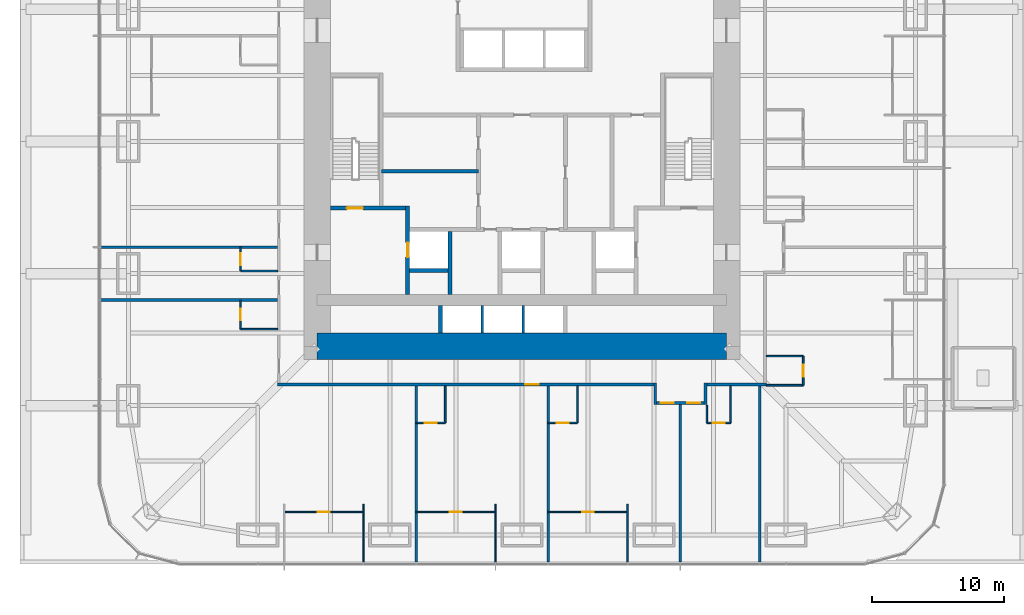
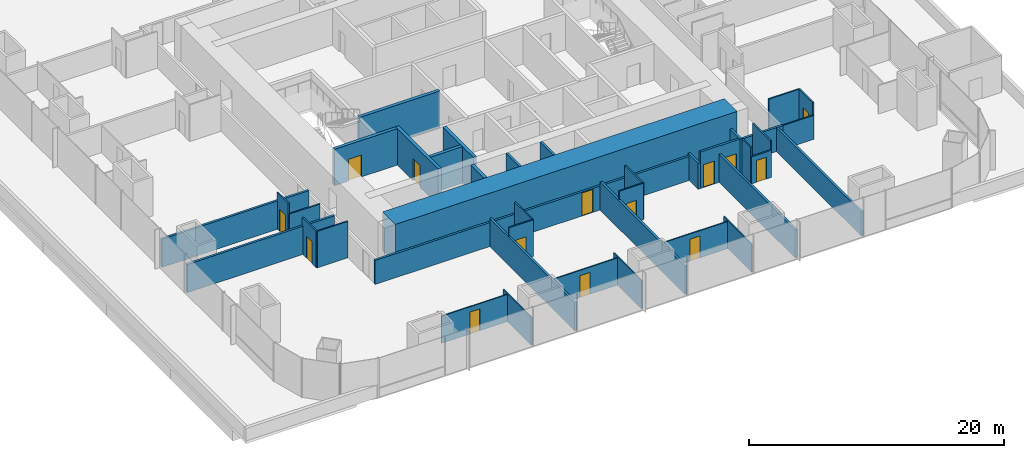
# One storey, part 14 of 20: 40 walls, 14 doors, 14 openings.
"""IFC4 building model written with IfcOpenShell, lengths in metres."""

from ifc_helpers import new_model, si_unit, direction, frame, frame_2d, origin, place, context, subcontext, project, spatial, rectangle, extrude, material, layer, layer_set, type_object, element, fill, save


model = new_model("IFC4")

# Units and contexts
model_context = context("Model", 3, precision=1e-05, world=origin(), true_north=direction((0.0, 1.0)))
body_context = subcontext(model_context, "Body", "Model", "MODEL_VIEW")
ifc_project = project(units=[si_unit("LENGTHUNIT", "METRE"), si_unit("AREAUNIT", "SQUARE_METRE"), si_unit("VOLUMEUNIT", "CUBIC_METRE"), si_unit("PLANEANGLEUNIT", "RADIAN"), si_unit("MASSUNIT", "GRAM", prefix="KILO")], contexts=[model_context])

# Site, building, storey
site_placement = place(None, origin())
site = spatial("IfcSite", under=ifc_project, at=site_placement, CompositionType="ELEMENT")
building_placement = place(site_placement, origin())
building = spatial("IfcBuilding", under=site, at=building_placement, Name="Khuree Lantern Residences", CompositionType="ELEMENT")
storey_placement = place(building_placement, frame((0.0, 0.0, 21.0)))
storey = spatial("IfcBuildingStorey", under=building, at=storey_placement, Name="L04", CompositionType="ELEMENT", Elevation=21.0)

# Wall, opening, door
ifc_material_1 = material(Name="Moisture-resistant gypsum board on steel studs", Category="steel")
ifc_layer_1 = layer(ifc_material_1, 0.125)
ifc_layer_set_1 = layer_set([ifc_layer_1], Name="BATHROOM WALL BTW125")
wall_type_1 = type_object("IfcWallType", Name="BATHROOM WALL BTW125", PredefinedType="PARTITIONING", material=ifc_layer_set_1)
wall_1_placement = place(storey_placement, frame((-21.300048828125, -8.0, 0.0), z_axis=(0.0, 0.0, 1.0), x_axis=(0.0, -1.0, 0.0)))
wall_1 = element("IfcWall", 1, at=wall_1_placement, inside=storey, type_object=wall_type_1, Name="L04 BATHROOM WALL 09", PredefinedType="PARTITIONING", context=body_context, shape_type="SweptSolid", body=[
    extrude(rectangle(XDim=1.800048828125, YDim=0.125, at=frame_2d((0.89990234375, 0.0))), origin(), (0.0, 0.0, 1.0), 3.5),
])
opening_1_placement = place(wall_1_placement, frame((0.449951171875, 0.0, 0.0)))
opening_1 = element("IfcOpeningElement", 2, at=opening_1_placement, cuts=wall_1, Name="Opening 04-047", PredefinedType="OPENING", context=body_context, shape_type="SweptSolid", body=[
    extrude(rectangle(XDim=0.89990234375, YDim=2.10009765625, at=frame_2d((0.449951171875, 1.050048828125))), frame((0.0, 0.072509765625, 0.0), z_axis=(0.0, -1.0, 0.0), x_axis=(1.0, 0.0, 0.0)), (0.0, 0.0, 1.0), 0.14501953125),
])
ifc_material_2 = material(Name="Timber door leaf in hardwood frame", Category="wood")
door_type_1 = type_object("IfcDoorType", Name="BATHROOM DOOR 900X2100", OperationType="SINGLE_SWING_LEFT", PredefinedType="DOOR", material=ifc_material_2)
door_1_placement = place(opening_1_placement, origin())
door_1 = element("IfcDoor", 3, at=door_1_placement, inside=storey, type_object=door_type_1, Name="Bathroom door 04-047", OperationType="SINGLE_SWING_LEFT", OverallHeight=2.10009765625, OverallWidth=0.89990234375, PredefinedType="DOOR", context=body_context, shape_type="SweptSolid", body=[
    extrude(rectangle(XDim=0.89990234375, YDim=2.10009765625, at=frame_2d((0.449951171875, 1.050048828125))), frame((0.0, 0.02490234375, 0.0), z_axis=(0.0, -1.0, 0.0), x_axis=(1.0, 0.0, 0.0)), (0.0, 0.0, 1.0), 0.050048828125),
])
fill(opening_1, door_1)

# Wall
wall_2_placement = place(storey_placement, frame((-18.5, -9.800048828125, 0.0), z_axis=(0.0, 0.0, 1.0), x_axis=(-1.0, 0.0, 0.0)))
element("IfcWall", 4, at=wall_2_placement, inside=storey, type_object=wall_type_1, Name="L04 BATHROOM WALL 09", PredefinedType="PARTITIONING", context=body_context, shape_type="SweptSolid", body=[
    extrude(rectangle(XDim=2.800048828125, YDim=0.125, at=frame_2d((1.39990234375, 0.0))), origin(), (0.0, 0.0, 1.0), 2.491943359375),
])

# Wall, opening, door
wall_3_placement = place(storey_placement, frame((-21.300048828125, -12.0, 0.0), z_axis=(0.0, 0.0, 1.0), x_axis=(0.0, -1.0, 0.0)))
wall_3 = element("IfcWall", 5, at=wall_3_placement, inside=storey, type_object=wall_type_1, Name="L04 BATHROOM WALL 10", PredefinedType="PARTITIONING", context=body_context, shape_type="SweptSolid", body=[
    extrude(rectangle(XDim=2.199951171875, YDim=0.125, at=frame_2d((1.10009765625, 0.0))), origin(), (0.0, 0.0, 1.0), 3.5),
])
opening_2_placement = place(wall_3_placement, frame((0.64990234375, 0.0, 0.0)))
opening_2 = element("IfcOpeningElement", 6, at=opening_2_placement, cuts=wall_3, Name="Opening 04-050", PredefinedType="OPENING", context=body_context, shape_type="SweptSolid", body=[
    extrude(rectangle(XDim=0.89990234375, YDim=2.10009765625, at=frame_2d((0.449951171875, 1.050048828125))), frame((0.0, 0.072509765625, 0.0), z_axis=(0.0, -1.0, 0.0), x_axis=(1.0, 0.0, 0.0)), (0.0, 0.0, 1.0), 0.14501953125),
])
door_2_placement = place(opening_2_placement, origin())
door_2 = element("IfcDoor", 7, at=door_2_placement, inside=storey, type_object=door_type_1, Name="Bathroom door 04-050", OperationType="SINGLE_SWING_LEFT", OverallHeight=2.10009765625, OverallWidth=0.89990234375, PredefinedType="DOOR", context=body_context, shape_type="SweptSolid", body=[
    extrude(rectangle(XDim=0.89990234375, YDim=2.10009765625, at=frame_2d((0.449951171875, 1.050048828125))), frame((0.0, 0.02490234375, 0.0), z_axis=(0.0, -1.0, 0.0), x_axis=(1.0, 0.0, 0.0)), (0.0, 0.0, 1.0), 0.050048828125),
])
fill(opening_2, door_2)

# Wall
wall_4_placement = place(storey_placement, frame((-18.5, -14.199951171875, 0.0), z_axis=(0.0, 0.0, 1.0), x_axis=(-1.0, 0.0, 0.0)))
element("IfcWall", 8, at=wall_4_placement, inside=storey, type_object=wall_type_1, Name="L04 BATHROOM WALL 10", PredefinedType="PARTITIONING", context=body_context, shape_type="SweptSolid", body=[
    extrude(rectangle(XDim=2.800048828125, YDim=0.125, at=frame_2d((1.39990234375, 0.0))), origin(), (0.0, 0.0, 1.0), 3.5),
])

# Wall, opening, door
wall_5_placement = place(storey_placement, frame((-8.0, -21.300048828125, 0.0), z_axis=(0.0, 0.0, 1.0), x_axis=(1.0, 0.0, 0.0)))
wall_5 = element("IfcWall", 9, at=wall_5_placement, inside=storey, type_object=wall_type_1, Name="L04 BATHROOM WALL 11", PredefinedType="PARTITIONING", context=body_context, shape_type="SweptSolid", body=[
    extrude(rectangle(XDim=2.199951171875, YDim=0.125, at=frame_2d((1.10009765625, 0.0))), origin(), (0.0, 0.0, 1.0), 3.5),
])
opening_3_placement = place(wall_5_placement, frame((0.64990234375, 0.0, 0.0)))
opening_3 = element("IfcOpeningElement", 10, at=opening_3_placement, cuts=wall_5, Name="Opening 04-053", PredefinedType="OPENING", context=body_context, shape_type="SweptSolid", body=[
    extrude(rectangle(XDim=0.89990234375, YDim=2.10009765625, at=frame_2d((0.449951171875, 1.050048828125))), frame((0.0, 0.072509765625, 0.0), z_axis=(0.0, -1.0, 0.0), x_axis=(1.0, 0.0, 0.0)), (0.0, 0.0, 1.0), 0.14501953125),
])
door_3_placement = place(opening_3_placement, origin())
door_3 = element("IfcDoor", 11, at=door_3_placement, inside=storey, type_object=door_type_1, Name="Bathroom door 04-053", OperationType="SINGLE_SWING_LEFT", OverallHeight=2.10009765625, OverallWidth=0.89990234375, PredefinedType="DOOR", context=body_context, shape_type="SweptSolid", body=[
    extrude(rectangle(XDim=0.89990234375, YDim=2.10009765625, at=frame_2d((0.449951171875, 1.050048828125))), frame((0.0, 0.02490234375, 0.0), z_axis=(0.0, -1.0, 0.0), x_axis=(1.0, 0.0, 0.0)), (0.0, 0.0, 1.0), 0.050048828125),
])
fill(opening_3, door_3)

# Wall
wall_6_placement = place(storey_placement, frame((-5.800048828125, -18.5, 0.0), z_axis=(0.0, 0.0, 1.0), x_axis=(0.0, -1.0, 0.0)))
element("IfcWall", 12, at=wall_6_placement, inside=storey, type_object=wall_type_1, Name="L04 BATHROOM WALL 11", PredefinedType="PARTITIONING", context=body_context, shape_type="SweptSolid", body=[
    extrude(rectangle(XDim=2.800048828125, YDim=0.125, at=frame_2d((1.39990234375, 0.0))), origin(), (0.0, 0.0, 1.0), 3.5),
])

# Wall, opening, door
wall_7_placement = place(storey_placement, frame((2.0, -21.300048828125, 0.0), z_axis=(0.0, 0.0, 1.0), x_axis=(1.0, 0.0, 0.0)))
wall_7 = element("IfcWall", 13, at=wall_7_placement, inside=storey, type_object=wall_type_1, Name="L04 BATHROOM WALL 12", PredefinedType="PARTITIONING", context=body_context, shape_type="SweptSolid", body=[
    extrude(rectangle(XDim=2.199951171875, YDim=0.125, at=frame_2d((1.10009765625, 0.0))), origin(), (0.0, 0.0, 1.0), 3.5),
])
opening_4_placement = place(wall_7_placement, frame((0.64990234375, 0.0, 0.0)))
opening_4 = element("IfcOpeningElement", 14, at=opening_4_placement, cuts=wall_7, Name="Opening 04-056", PredefinedType="OPENING", context=body_context, shape_type="SweptSolid", body=[
    extrude(rectangle(XDim=0.89990234375, YDim=2.10009765625, at=frame_2d((0.449951171875, 1.050048828125))), frame((0.0, 0.072509765625, 0.0), z_axis=(0.0, -1.0, 0.0), x_axis=(1.0, 0.0, 0.0)), (0.0, 0.0, 1.0), 0.14501953125),
])
door_4_placement = place(opening_4_placement, origin())
door_4 = element("IfcDoor", 15, at=door_4_placement, inside=storey, type_object=door_type_1, Name="Bathroom door 04-056", OperationType="SINGLE_SWING_LEFT", OverallHeight=2.10009765625, OverallWidth=0.89990234375, PredefinedType="DOOR", context=body_context, shape_type="SweptSolid", body=[
    extrude(rectangle(XDim=0.89990234375, YDim=2.10009765625, at=frame_2d((0.449951171875, 1.050048828125))), frame((0.0, 0.02490234375, 0.0), z_axis=(0.0, -1.0, 0.0), x_axis=(1.0, 0.0, 0.0)), (0.0, 0.0, 1.0), 0.050048828125),
])
fill(opening_4, door_4)

# Wall
wall_8_placement = place(storey_placement, frame((4.199951171875, -18.5, 0.0), z_axis=(0.0, 0.0, 1.0), x_axis=(0.0, -1.0, 0.0)))
element("IfcWall", 16, at=wall_8_placement, inside=storey, type_object=wall_type_1, Name="L04 BATHROOM WALL 12", PredefinedType="PARTITIONING", context=body_context, shape_type="SweptSolid", body=[
    extrude(rectangle(XDim=2.800048828125, YDim=0.125, at=frame_2d((1.39990234375, 0.0))), origin(), (0.0, 0.0, 1.0), 3.5),
])

# Wall, opening, door
wall_9_placement = place(storey_placement, frame((14.0, -21.300048828125, 0.0), z_axis=(0.0, 0.0, 1.0), x_axis=(1.0, 0.0, 0.0)))
wall_9 = element("IfcWall", 17, at=wall_9_placement, inside=storey, type_object=wall_type_1, Name="L04 BATHROOM WALL 13", PredefinedType="PARTITIONING", context=body_context, shape_type="SweptSolid", body=[
    extrude(rectangle(XDim=1.800048828125, YDim=0.125, at=frame_2d((0.89990234375, 0.0))), origin(), (0.0, 0.0, 1.0), 2.610107421875),
])
opening_5_placement = place(wall_9_placement, frame((0.449951171875, 0.0, 0.0)))
opening_5 = element("IfcOpeningElement", 18, at=opening_5_placement, cuts=wall_9, Name="Opening 04-058", PredefinedType="OPENING", context=body_context, shape_type="SweptSolid", body=[
    extrude(rectangle(XDim=0.89990234375, YDim=2.10009765625, at=frame_2d((0.449951171875, 1.050048828125))), frame((0.0, 0.072509765625, 0.0), z_axis=(0.0, -1.0, 0.0), x_axis=(1.0, 0.0, 0.0)), (0.0, 0.0, 1.0), 0.14501953125),
])
door_5_placement = place(opening_5_placement, origin())
door_5 = element("IfcDoor", 19, at=door_5_placement, inside=storey, type_object=door_type_1, Name="Bathroom door 04-058", OperationType="SINGLE_SWING_LEFT", OverallHeight=2.10009765625, OverallWidth=0.89990234375, PredefinedType="DOOR", context=body_context, shape_type="SweptSolid", body=[
    extrude(rectangle(XDim=0.89990234375, YDim=2.10009765625, at=frame_2d((0.449951171875, 1.050048828125))), frame((0.0, 0.02490234375, 0.0), z_axis=(0.0, -1.0, 0.0), x_axis=(1.0, 0.0, 0.0)), (0.0, 0.0, 1.0), 0.050048828125),
])
fill(opening_5, door_5)

# Walls
wall_10_placement = place(storey_placement, frame((14.0, -19.969970703125, 0.0), z_axis=(0.0, 0.0, 1.0), x_axis=(0.0, -1.0, 0.0)))
element("IfcWall", 20, at=wall_10_placement, inside=storey, type_object=wall_type_1, Name="L04 BATHROOM WALL 13", PredefinedType="PARTITIONING", context=body_context, shape_type="SweptSolid", body=[
    extrude(rectangle(XDim=1.330078125, YDim=0.125, at=frame_2d((0.6650390625, 0.0))), origin(), (0.0, 0.0, 1.0), 3.5),
])
wall_11_placement = place(storey_placement, frame((15.800048828125, -18.5, 0.0), z_axis=(0.0, 0.0, 1.0), x_axis=(0.0, -1.0, 0.0)))
element("IfcWall", 21, at=wall_11_placement, inside=storey, type_object=wall_type_1, Name="L04 BATHROOM WALL 13", PredefinedType="PARTITIONING", context=body_context, shape_type="SweptSolid", body=[
    extrude(rectangle(XDim=2.800048828125, YDim=0.125, at=frame_2d((1.39990234375, 0.0))), origin(), (0.0, 0.0, 1.0), 3.5),
])

# Wall, opening, door
wall_12_placement = place(storey_placement, frame((21.300048828125, -18.449951171875, 0.0), z_axis=(0.0, 0.0, 1.0), x_axis=(0.0, 1.0, 0.0)))
wall_12 = element("IfcWall", 22, at=wall_12_placement, inside=storey, type_object=wall_type_1, Name="L04 BATHROOM WALL 14", PredefinedType="PARTITIONING", context=body_context, shape_type="SweptSolid", body=[
    extrude(rectangle(XDim=2.199951171875, YDim=0.125, at=frame_2d((1.10009765625, 0.0))), origin(), (0.0, 0.0, 1.0), 3.5),
])
opening_6_placement = place(wall_12_placement, frame((0.64990234375, 0.0, 0.0)))
opening_6 = element("IfcOpeningElement", 23, at=opening_6_placement, cuts=wall_12, Name="Opening 04-061", PredefinedType="OPENING", context=body_context, shape_type="SweptSolid", body=[
    extrude(rectangle(XDim=0.89990234375, YDim=2.10009765625, at=frame_2d((0.449951171875, 1.050048828125))), frame((0.0, 0.072509765625, 0.0), z_axis=(0.0, -1.0, 0.0), x_axis=(1.0, 0.0, 0.0)), (0.0, 0.0, 1.0), 0.14501953125),
])
door_6_placement = place(opening_6_placement, origin())
door_6 = element("IfcDoor", 24, at=door_6_placement, inside=storey, type_object=door_type_1, Name="Bathroom door 04-061", OperationType="SINGLE_SWING_LEFT", OverallHeight=2.10009765625, OverallWidth=0.89990234375, PredefinedType="DOOR", context=body_context, shape_type="SweptSolid", body=[
    extrude(rectangle(XDim=0.89990234375, YDim=2.10009765625, at=frame_2d((0.449951171875, 1.050048828125))), frame((0.0, 0.02490234375, 0.0), z_axis=(0.0, -1.0, 0.0), x_axis=(1.0, 0.0, 0.0)), (0.0, 0.0, 1.0), 0.050048828125),
])
fill(opening_6, door_6)

# Walls
wall_13_placement = place(storey_placement, frame((18.5, -18.449951171875, 0.0), z_axis=(0.0, 0.0, 1.0), x_axis=(1.0, 0.0, 0.0)))
element("IfcWall", 25, at=wall_13_placement, inside=storey, type_object=wall_type_1, Name="L04 BATHROOM WALL 14", PredefinedType="PARTITIONING", context=body_context, shape_type="SweptSolid", body=[
    extrude(rectangle(XDim=2.800048828125, YDim=0.125, at=frame_2d((1.39990234375, 0.0))), origin(), (0.0, 0.0, 1.0), 2.300048828125),
])
wall_14_placement = place(storey_placement, frame((18.5, -16.25, 0.0), z_axis=(0.0, 0.0, 1.0), x_axis=(1.0, 0.0, 0.0)))
element("IfcWall", 26, at=wall_14_placement, inside=storey, type_object=wall_type_1, Name="L04 BATHROOM WALL 14", PredefinedType="PARTITIONING", context=body_context, shape_type="SweptSolid", body=[
    extrude(rectangle(XDim=2.800048828125, YDim=0.125, at=frame_2d((1.39990234375, 0.0))), origin(), (0.0, 0.0, 1.0), 3.5),
])

# Wall, opening, door
ifc_material_3 = material(Name="Dense concrete blockwork", Category="masonry")
ifc_layer_2 = layer(ifc_material_3, 0.300048828125)
ifc_layer_set_2 = layer_set([ifc_layer_2], Name="CORE PARTITION WALL CPW300 EI 120")
wall_type_2 = type_object("IfcWallType", Name="CORE PARTITION WALL CPW300 EI 120", PredefinedType="PARTITIONING", material=ifc_layer_set_2)
wall_15_placement = place(storey_placement, frame((-8.64990234375, -11.60009765625, 0.0), z_axis=(0.0, 0.0, 1.0), x_axis=(0.0, 1.0, 0.0)))
wall_15 = element("IfcWall", 27, at=wall_15_placement, inside=storey, type_object=wall_type_2, Name="L04 CORE WALL FL1W", PredefinedType="PARTITIONING", context=body_context, shape_type="SweptSolid", body=[
    extrude(rectangle(XDim=6.7001953125, YDim=0.300048828125, at=frame_2d((3.35009765625, 0.0))), origin(), (0.0, 0.0, 1.0), 3.5),
])
opening_7_placement = place(wall_15_placement, frame((2.85009765625, 0.0, 0.0)))
opening_7 = element("IfcOpeningElement", 28, at=opening_7_placement, cuts=wall_15, Name="Opening 04-007", PredefinedType="OPENING", context=body_context, shape_type="SweptSolid", body=[
    extrude(rectangle(XDim=1.10009765625, YDim=2.10009765625, at=frame_2d((0.550048828125, 1.050048828125))), frame((0.0, 0.16015625, 0.0), z_axis=(0.0, -1.0, 0.0), x_axis=(1.0, 0.0, 0.0)), (0.0, 0.0, 1.0), 0.320068359375),
])
ifc_material_4 = material(Name="Stainless steel lift landing door", Category="steel")
door_type_2 = type_object("IfcDoorType", Name="LIFT LANDING DOOR 1100X2100 E 120", OperationType="DOUBLE_DOOR_SLIDING", PredefinedType="DOOR", material=ifc_material_4)
door_7_placement = place(opening_7_placement, origin())
door_7 = element("IfcDoor", 29, at=door_7_placement, inside=storey, type_object=door_type_2, Name="Landing door FL1 04-007", OperationType="DOUBLE_DOOR_SLIDING", OverallHeight=2.10009765625, OverallWidth=1.10009765625, PredefinedType="DOOR", context=body_context, shape_type="SweptSolid", body=[
    extrude(rectangle(XDim=1.10009765625, YDim=2.10009765625, at=frame_2d((0.550048828125, 1.050048828125))), frame((0.0, 0.02490234375, 0.0), z_axis=(0.0, -1.0, 0.0), x_axis=(1.0, 0.0, 0.0)), (0.0, 0.0, 1.0), 0.050048828125),
])
fill(opening_7, door_7)

# Walls
wall_16_placement = place(storey_placement, frame((-5.449951171875, -11.60009765625, 0.0), z_axis=(0.0, 0.0, 1.0), x_axis=(0.0, 1.0, 0.0)))
element("IfcWall", 30, at=wall_16_placement, inside=storey, type_object=wall_type_2, Name="L04 CORE WALL FL1E", PredefinedType="PARTITIONING", context=body_context, shape_type="SweptSolid", body=[
    extrude(rectangle(XDim=4.800048828125, YDim=0.300048828125, at=frame_2d((2.39990234375, 0.0))), origin(), (0.0, 0.0, 1.0), 3.5),
])
wall_17_placement = place(storey_placement, frame((-8.5, -9.75, 0.0), z_axis=(0.0, 0.0, 1.0), x_axis=(1.0, 0.0, 0.0)))
element("IfcWall", 31, at=wall_17_placement, inside=storey, type_object=wall_type_2, Name="L04 CORE WALL FL1S", PredefinedType="PARTITIONING", context=body_context, shape_type="SweptSolid", body=[
    extrude(rectangle(XDim=2.89990234375, YDim=0.300048828125, at=frame_2d((1.449951171875, 0.0))), origin(), (0.0, 0.0, 1.0), 3.5),
])
wall_18_placement = place(storey_placement, frame((-6.14990234375, -14.5, 0.0), z_axis=(0.0, 0.0, 1.0), x_axis=(0.0, 1.0, 0.0)))
element("IfcWall", 32, at=wall_18_placement, inside=storey, type_object=wall_type_2, Name="L04 CORE WALL PMW", PredefinedType="PARTITIONING", context=body_context, shape_type="SweptSolid", body=[
    extrude(rectangle(XDim=2.10009765625, YDim=0.300048828125, at=frame_2d((1.050048828125, 0.0))), origin(), (0.0, 0.0, 1.0), 3.5),
])
wall_19_placement = place(storey_placement, frame((-10.64990234375, -2.25, 0.0), z_axis=(0.0, 0.0, 1.0), x_axis=(1.0, 0.0, 0.0)))
element("IfcWall", 33, at=wall_19_placement, inside=storey, type_object=wall_type_2, Name="L04 CORE WALL WX", PredefinedType="PARTITIONING", context=body_context, shape_type="SweptSolid", body=[
    extrude(rectangle(XDim=7.349853515625, YDim=0.300048828125, at=frame_2d((3.6748046875, 0.0))), origin(), (0.0, 0.0, 1.0), 3.5),
])
ifc_material_5 = material(Name="Gypsum board on steel studs", Category="steel")
ifc_layer_3 = layer(ifc_material_5, 0.199951171875)
ifc_layer_set_3 = layer_set([ifc_layer_3], Name="CORRIDOR WALL CRW200 EI 60")
wall_type_3 = type_object("IfcWallType", Name="CORRIDOR WALL CRW200 EI 60", PredefinedType="PARTITIONING", material=ifc_layer_set_3)
wall_20_placement = place(storey_placement, frame((18.5, -18.39990234375, 0.0), z_axis=(0.0, 0.0, 1.0), x_axis=(-1.0, 0.0, 0.0)))
element("IfcWall", 34, at=wall_20_placement, inside=storey, type_object=wall_type_3, Name="L04 CORRIDOR WALL SOUTH 1", PredefinedType="PARTITIONING", context=body_context, shape_type="SweptSolid", body=[
    extrude(rectangle(XDim=4.5, YDim=0.199951171875, at=frame_2d((2.25, 0.0))), origin(), (0.0, 0.0, 1.0), 2.300048828125),
])
wall_21_placement = place(storey_placement, frame((13.89990234375, -18.300048828125, 0.0), z_axis=(0.0, 0.0, 1.0), x_axis=(0.0, -1.0, 0.0)))
element("IfcWall", 35, at=wall_21_placement, inside=storey, type_object=wall_type_3, Name="L04 CORRIDOR ALCOVE WALL SOUTH", PredefinedType="PARTITIONING", context=body_context, shape_type="SweptSolid", body=[
    extrude(rectangle(XDim=1.599853515625, YDim=0.199951171875, at=frame_2d((0.7998046875, 0.0))), origin(), (0.0, 0.0, 1.0), 3.5),
])
wall_22_placement = place(storey_placement, frame((10.10009765625, -18.300048828125, 0.0), z_axis=(0.0, 0.0, 1.0), x_axis=(0.0, -1.0, 0.0)))
element("IfcWall", 36, at=wall_22_placement, inside=storey, type_object=wall_type_3, Name="L04 CORRIDOR ALCOVE WALL SOUTH", PredefinedType="PARTITIONING", context=body_context, shape_type="SweptSolid", body=[
    extrude(rectangle(XDim=1.599853515625, YDim=0.199951171875, at=frame_2d((0.7998046875, 0.0))), origin(), (0.0, 0.0, 1.0), 2.491943359375),
])

# Wall, openings, doors
wall_23_placement = place(storey_placement, frame((13.800048828125, -19.800048828125, 0.0), z_axis=(0.0, 0.0, 1.0), x_axis=(-1.0, 0.0, 0.0)))
wall_23 = element("IfcWall", 37, at=wall_23_placement, inside=storey, type_object=wall_type_3, Name="L04 CORRIDOR ALCOVE WALL SOUTH", PredefinedType="PARTITIONING", context=body_context, shape_type="SweptSolid", body=[
    extrude(rectangle(XDim=3.60009765625, YDim=0.199951171875, at=frame_2d((1.800048828125, 0.0))), origin(), (0.0, 0.0, 1.0), 3.5),
])
opening_8_placement = place(wall_23_placement, frame((2.300048828125, 0.0, 0.0)))
opening_8 = element("IfcOpeningElement", 38, at=opening_8_placement, cuts=wall_23, Name="Opening 04-057", PredefinedType="OPENING", context=body_context, shape_type="SweptSolid", body=[
    extrude(rectangle(XDim=1.0, YDim=2.199951171875, at=frame_2d((0.5, 1.10009765625))), frame((0.0, 0.10986328125, 0.0), z_axis=(0.0, -1.0, 0.0), x_axis=(1.0, 0.0, 0.0)), (0.0, 0.0, 1.0), 0.219970703125),
])
opening_9_placement = place(wall_23_placement, frame((0.300048828125, 0.0, 0.0)))
opening_9 = element("IfcOpeningElement", 39, at=opening_9_placement, cuts=wall_23, Name="Opening 04-059", PredefinedType="OPENING", context=body_context, shape_type="SweptSolid", body=[
    extrude(rectangle(XDim=1.0, YDim=2.199951171875, at=frame_2d((0.5, 1.10009765625))), frame((0.0, 0.10986328125, 0.0), z_axis=(0.0, -1.0, 0.0), x_axis=(1.0, 0.0, 0.0)), (0.0, 0.0, 1.0), 0.219970703125),
])
door_type_3 = type_object("IfcDoorType", Name="APARTMENT ENTRANCE DOOR 1000X2200 EI 30S", OperationType="SINGLE_SWING_LEFT", PredefinedType="DOOR", material=ifc_material_2)
door_8_placement = place(opening_8_placement, origin())
door_8 = element("IfcDoor", 40, at=door_8_placement, inside=storey, type_object=door_type_3, Name="Apartment 12 entrance door 04-057", OperationType="SINGLE_SWING_LEFT", OverallHeight=2.199951171875, OverallWidth=1.0, PredefinedType="DOOR", context=body_context, shape_type="SweptSolid", body=[
    extrude(rectangle(XDim=1.0, YDim=2.199951171875, at=frame_2d((0.5, 1.10009765625))), frame((0.0, 0.02490234375, 0.0), z_axis=(0.0, -1.0, 0.0), x_axis=(1.0, 0.0, 0.0)), (0.0, 0.0, 1.0), 0.050048828125),
])
fill(opening_8, door_8)
door_9_placement = place(opening_9_placement, origin())
door_9 = element("IfcDoor", 41, at=door_9_placement, inside=storey, type_object=door_type_3, Name="Apartment 13 entrance door 04-059", OperationType="SINGLE_SWING_LEFT", OverallHeight=2.199951171875, OverallWidth=1.0, PredefinedType="DOOR", context=body_context, shape_type="SweptSolid", body=[
    extrude(rectangle(XDim=1.0, YDim=2.199951171875, at=frame_2d((0.5, 1.10009765625))), frame((0.0, 0.02490234375, 0.0), z_axis=(0.0, -1.0, 0.0), x_axis=(1.0, 0.0, 0.0)), (0.0, 0.0, 1.0), 0.050048828125),
])
fill(opening_9, door_9)

# Wall, opening, door
wall_24_placement = place(storey_placement, frame((10.0, -18.39990234375, 0.0), z_axis=(0.0, 0.0, 1.0), x_axis=(-1.0, 0.0, 0.0)))
wall_24 = element("IfcWall", 42, at=wall_24_placement, inside=storey, type_object=wall_type_3, Name="L04 CORRIDOR WALL SOUTH 2", PredefinedType="PARTITIONING", context=body_context, shape_type="SweptSolid", body=[
    extrude(rectangle(XDim=28.5, YDim=0.199951171875, at=frame_2d((14.25, 0.0))), origin(), (0.0, 0.0, 1.0), 2.300048828125),
])
opening_10_placement = place(wall_24_placement, frame((8.72998046875, 0.0, 0.0)))
opening_10 = element("IfcOpeningElement", 43, at=opening_10_placement, cuts=wall_24, Name="Opening 04-054", PredefinedType="OPENING", context=body_context, shape_type="SweptSolid", body=[
    extrude(rectangle(XDim=1.0, YDim=2.199951171875, at=frame_2d((0.5, 1.10009765625))), frame((0.0, 0.10986328125, 0.0), z_axis=(0.0, -1.0, 0.0), x_axis=(1.0, 0.0, 0.0)), (0.0, 0.0, 1.0), 0.219970703125),
])
door_10_placement = place(opening_10_placement, origin())
door_10 = element("IfcDoor", 44, at=door_10_placement, inside=storey, type_object=door_type_3, Name="Apartment 11 entrance door 04-054", OperationType="SINGLE_SWING_LEFT", OverallHeight=2.199951171875, OverallWidth=1.0, PredefinedType="DOOR", context=body_context, shape_type="SweptSolid", body=[
    extrude(rectangle(XDim=1.0, YDim=2.199951171875, at=frame_2d((0.5, 1.10009765625))), frame((0.0, 0.02490234375, 0.0), z_axis=(0.0, -1.0, 0.0), x_axis=(1.0, 0.0, 0.0)), (0.0, 0.0, 1.0), 0.050048828125),
])
fill(opening_10, door_10)

# Walls
ifc_material_6 = material(Name="Concrete C70/85", Category="concrete")
ifc_layer_4 = layer(ifc_material_6, 2.0)
ifc_layer_set_4 = layer_set([ifc_layer_4], Name="CW2000-C70 CORE WALL C70 2000")
wall_type_4 = type_object("IfcWallType", Name="CW2000-C70 CORE WALL C70 2000", PredefinedType="SHEAR", material=ifc_layer_set_4)
wall_25_placement = place(storey_placement, frame((-15.5, -15.5, -0.25), z_axis=(0.0, 0.0, 1.0), x_axis=(1.0, 0.0, 0.0)))
element("IfcWall", 45, at=wall_25_placement, inside=storey, type_object=wall_type_4, Name="Core wall S", PredefinedType="SHEAR", context=body_context, shape_type="SweptSolid", body=[
    extrude(rectangle(XDim=31.0, YDim=2.0, at=frame_2d((15.5, 0.0))), origin(), (0.0, 0.0, 1.0), 3.75),
])
ifc_layer_5 = layer(ifc_material_5, 0.199951171875)
ifc_layer_set_5 = layer_set([ifc_layer_5], Name="DEMISING WALL DMW200 EI 90")
wall_type_5 = type_object("IfcWallType", Name="DEMISING WALL DMW200 EI 90", PredefinedType="PARTITIONING", material=ifc_layer_set_5)
for number, where, z_axis, x_axis, name in (
    (46, (-18.5, -8.0, 0.0), (0.0, 0.0, 1.0), (-1.0, 0.0, 0.0), "L04 DEMISING WALL 09"),
    (47, (-18.5, -12.0, 0.0), (0.0, 0.0, 1.0), (-1.0, 0.0, 0.0), "L04 DEMISING WALL 10"),
    (48, (-8.0, -18.5, 0.0), (0.0, 0.0, 1.0), (0.0, -1.0, 0.0), "L04 DEMISING WALL 11"),
    (49, (2.0, -18.5, 0.0), (0.0, 0.0, 1.0), (0.0, -1.0, 0.0), "L04 DEMISING WALL 12"),
):
    element("IfcWall", number, at=place(storey_placement, frame(where, z_axis=z_axis, x_axis=x_axis)), inside=storey, type_object=wall_type_5, Name=name, PredefinedType="PARTITIONING", context=body_context, shape_type="SweptSolid", body=[
        extrude(rectangle(XDim=13.35009765625, YDim=0.199951171875, at=frame_2d((6.675048828125, 0.0))), origin(), (0.0, 0.0, 1.0), 2.7099609375),
    ])
wall_26_placement = place(storey_placement, frame((12.0, -19.89990234375, 0.0), z_axis=(0.0, 0.0, 1.0), x_axis=(0.0, -1.0, 0.0)))
element("IfcWall", 50, at=wall_26_placement, inside=storey, type_object=wall_type_5, Name="L04 DEMISING WALL 13", PredefinedType="PARTITIONING", context=body_context, shape_type="SweptSolid", body=[
    extrude(rectangle(XDim=11.9501953125, YDim=0.199951171875, at=frame_2d((5.97509765625, 0.0))), origin(), (0.0, 0.0, 1.0), 2.7099609375),
])
wall_27_placement = place(storey_placement, frame((18.0, -18.5, 0.0), z_axis=(0.0, 0.0, 1.0), x_axis=(0.0, -1.0, 0.0)))
element("IfcWall", 51, at=wall_27_placement, inside=storey, type_object=wall_type_5, Name="L04 DEMISING WALL 14", PredefinedType="PARTITIONING", context=body_context, shape_type="SweptSolid", body=[
    extrude(rectangle(XDim=13.35009765625, YDim=0.199951171875, at=frame_2d((6.675048828125, 0.0))), origin(), (0.0, 0.0, 1.0), 2.300048828125),
])
ifc_layer_6 = layer(ifc_material_5, 0.10009765625)
ifc_layer_set_6 = layer_set([ifc_layer_6], Name="PARTITION PT100")
wall_type_6 = type_object("IfcWallType", Name="PARTITION PT100", PredefinedType="PARTITIONING", material=ifc_layer_set_6)
for number, where, z_axis, x_axis, name in (
    (52, (-12.0, -27.449951171875, 0.0), (0.0, 0.0, 1.0), (0.0, -1.0, 0.0), "L04 PARTITION 10"),
    (53, (-2.0, -27.449951171875, 0.0), (0.0, 0.0, 1.0), (0.0, -1.0, 0.0), "L04 PARTITION 11"),
    (54, (8.0, -27.449951171875, 0.0), (0.0, 0.0, 1.0), (0.0, -1.0, 0.0), "L04 PARTITION 12"),
):
    element("IfcWall", number, at=place(storey_placement, frame(where, z_axis=z_axis, x_axis=x_axis)), inside=storey, type_object=wall_type_6, Name=name, PredefinedType="PARTITIONING", context=body_context, shape_type="SweptSolid", body=[
        extrude(rectangle(XDim=4.400146484375, YDim=0.10009765625, at=frame_2d((2.2001953125, 0.0))), origin(), (0.0, 0.0, 1.0), 2.7099609375),
    ])

# Wall, opening, door
wall_28_placement = place(storey_placement, frame((-18.0, -28.050048828125, 0.0), z_axis=(0.0, 0.0, 1.0), x_axis=(1.0, 0.0, 0.0)))
wall_28 = element("IfcWall", 55, at=wall_28_placement, inside=storey, type_object=wall_type_6, Name="L04 PARTITION 10", PredefinedType="PARTITIONING", context=body_context, shape_type="SweptSolid", body=[
    extrude(rectangle(XDim=6.0, YDim=0.10009765625, at=frame_2d((3.0, 0.0))), origin(), (0.0, 0.0, 1.0), 2.610107421875),
])
opening_11_placement = place(wall_28_placement, frame((2.550048828125, 0.0, 0.0)))
opening_11 = element("IfcOpeningElement", 56, at=opening_11_placement, cuts=wall_28, Name="Opening 04-049", PredefinedType="OPENING", context=body_context, shape_type="SweptSolid", body=[
    extrude(rectangle(XDim=0.89990234375, YDim=2.10009765625, at=frame_2d((0.449951171875, 1.050048828125))), frame((0.0, 0.06005859375, 0.0), z_axis=(0.0, -1.0, 0.0), x_axis=(1.0, 0.0, 0.0)), (0.0, 0.0, 1.0), 0.1201171875),
])
door_type_4 = type_object("IfcDoorType", Name="BEDROOM DOOR 900X2100", OperationType="SINGLE_SWING_LEFT", PredefinedType="DOOR", material=ifc_material_2)
door_11_placement = place(opening_11_placement, origin())
door_11 = element("IfcDoor", 57, at=door_11_placement, inside=storey, type_object=door_type_4, Name="Bedroom door 04-049", OperationType="SINGLE_SWING_LEFT", OverallHeight=2.10009765625, OverallWidth=0.89990234375, PredefinedType="DOOR", context=body_context, shape_type="SweptSolid", body=[
    extrude(rectangle(XDim=0.89990234375, YDim=2.10009765625, at=frame_2d((0.449951171875, 1.050048828125))), frame((0.0, 0.02490234375, 0.0), z_axis=(0.0, -1.0, 0.0), x_axis=(1.0, 0.0, 0.0)), (0.0, 0.0, 1.0), 0.050048828125),
])
fill(opening_11, door_11)

wall_29_placement = place(storey_placement, frame((-8.0, -28.050048828125, 0.0), z_axis=(0.0, 0.0, 1.0), x_axis=(1.0, 0.0, 0.0)))
wall_29 = element("IfcWall", 58, at=wall_29_placement, inside=storey, type_object=wall_type_6, Name="L04 PARTITION 11", PredefinedType="PARTITIONING", context=body_context, shape_type="SweptSolid", body=[
    extrude(rectangle(XDim=6.0, YDim=0.10009765625, at=frame_2d((3.0, 0.0))), origin(), (0.0, 0.0, 1.0), 2.610107421875),
])
opening_12_placement = place(wall_29_placement, frame((2.550048828125, 0.0, 0.0)))
opening_12 = element("IfcOpeningElement", 59, at=opening_12_placement, cuts=wall_29, Name="Opening 04-052", PredefinedType="OPENING", context=body_context, shape_type="SweptSolid", body=[
    extrude(rectangle(XDim=0.89990234375, YDim=2.10009765625, at=frame_2d((0.449951171875, 1.050048828125))), frame((0.0, 0.06005859375, 0.0), z_axis=(0.0, -1.0, 0.0), x_axis=(1.0, 0.0, 0.0)), (0.0, 0.0, 1.0), 0.1201171875),
])
door_12_placement = place(opening_12_placement, origin())
door_12 = element("IfcDoor", 60, at=door_12_placement, inside=storey, type_object=door_type_4, Name="Bedroom door 04-052", OperationType="SINGLE_SWING_LEFT", OverallHeight=2.10009765625, OverallWidth=0.89990234375, PredefinedType="DOOR", context=body_context, shape_type="SweptSolid", body=[
    extrude(rectangle(XDim=0.89990234375, YDim=2.10009765625, at=frame_2d((0.449951171875, 1.050048828125))), frame((0.0, 0.02490234375, 0.0), z_axis=(0.0, -1.0, 0.0), x_axis=(1.0, 0.0, 0.0)), (0.0, 0.0, 1.0), 0.050048828125),
])
fill(opening_12, door_12)

wall_30_placement = place(storey_placement, frame((2.0, -28.050048828125, 0.0), z_axis=(0.0, 0.0, 1.0), x_axis=(1.0, 0.0, 0.0)))
wall_30 = element("IfcWall", 61, at=wall_30_placement, inside=storey, type_object=wall_type_6, Name="L04 PARTITION 12", PredefinedType="PARTITIONING", context=body_context, shape_type="SweptSolid", body=[
    extrude(rectangle(XDim=6.0, YDim=0.10009765625, at=frame_2d((3.0, 0.0))), origin(), (0.0, 0.0, 1.0), 2.610107421875),
])
opening_13_placement = place(wall_30_placement, frame((2.550048828125, 0.0, 0.0)))
opening_13 = element("IfcOpeningElement", 62, at=opening_13_placement, cuts=wall_30, Name="Opening 04-055", PredefinedType="OPENING", context=body_context, shape_type="SweptSolid", body=[
    extrude(rectangle(XDim=0.89990234375, YDim=2.10009765625, at=frame_2d((0.449951171875, 1.050048828125))), frame((0.0, 0.06005859375, 0.0), z_axis=(0.0, -1.0, 0.0), x_axis=(1.0, 0.0, 0.0)), (0.0, 0.0, 1.0), 0.1201171875),
])
door_13_placement = place(opening_13_placement, origin())
door_13 = element("IfcDoor", 63, at=door_13_placement, inside=storey, type_object=door_type_4, Name="Bedroom door 04-055", OperationType="SINGLE_SWING_LEFT", OverallHeight=2.10009765625, OverallWidth=0.89990234375, PredefinedType="DOOR", context=body_context, shape_type="SweptSolid", body=[
    extrude(rectangle(XDim=0.89990234375, YDim=2.10009765625, at=frame_2d((0.449951171875, 1.050048828125))), frame((0.0, 0.02490234375, 0.0), z_axis=(0.0, -1.0, 0.0), x_axis=(1.0, 0.0, 0.0)), (0.0, 0.0, 1.0), 0.050048828125),
])
fill(opening_13, door_13)

# Walls
ifc_layer_7 = layer(ifc_material_3, 0.199951171875)
ifc_layer_set_7 = layer_set([ifc_layer_7], Name="SHAFT WALL SHW200 EI 120")
wall_type_7 = type_object("IfcWallType", Name="SHAFT WALL SHW200 EI 120", PredefinedType="PARTITIONING", material=ifc_layer_set_7)
for number, where, z_axis, x_axis, name in (
    (64, (-3.0, -14.5, 0.0), (0.0, 0.0, 1.0), (0.0, 1.0, 0.0), "L04 CORE WALL PMD1"),
    (65, (0.10009765625, -14.5, 0.0), (0.0, 0.0, 1.0), (0.0, 1.0, 0.0), "L04 CORE WALL PMD2"),
):
    element("IfcWall", number, at=place(storey_placement, frame(where, z_axis=z_axis, x_axis=x_axis)), inside=storey, type_object=wall_type_7, Name=name, PredefinedType="PARTITIONING", context=body_context, shape_type="SweptSolid", body=[
        extrude(rectangle(XDim=2.10009765625, YDim=0.199951171875, at=frame_2d((1.050048828125, 0.0))), origin(), (0.0, 0.0, 1.0), 3.5),
    ])

# Wall, opening, door
ifc_material_7 = material(Name="Concrete C50/60", Category="concrete")
ifc_layer_8 = layer(ifc_material_7, 0.300048828125)
ifc_layer_set_8 = layer_set([ifc_layer_8], Name="STAIR WALL SRW300 C50/60 REI 240")
wall_type_8 = type_object("IfcWallType", Name="STAIR WALL SRW300 C50/60 REI 240", PredefinedType="SOLIDWALL", material=ifc_layer_set_8)
wall_31_placement = place(storey_placement, frame((-14.5, -5.050048828125, 0.0), z_axis=(0.0, 0.0, 1.0), x_axis=(1.0, 0.0, 0.0)))
wall_31 = element("IfcWall", 66, at=wall_31_placement, inside=storey, type_object=wall_type_8, Name="L04 STAIR WALL ST1S", PredefinedType="SOLIDWALL", context=body_context, shape_type="SweptSolid", body=[
    extrude(rectangle(XDim=5.699951171875, YDim=0.300048828125, at=frame_2d((2.85009765625, 0.0))), origin(), (0.0, 0.0, 1.0), 3.5),
])
opening_14_placement = place(wall_31_placement, frame((1.25, 0.0, 0.0)))
opening_14 = element("IfcOpeningElement", 67, at=opening_14_placement, cuts=wall_31, Name="Opening 04-001", PredefinedType="OPENING", context=body_context, shape_type="SweptSolid", body=[
    extrude(rectangle(XDim=1.199951171875, YDim=2.10009765625, at=frame_2d((0.60009765625, 1.050048828125))), frame((0.0, 0.16015625, 0.0), z_axis=(0.0, -1.0, 0.0), x_axis=(1.0, 0.0, 0.0)), (0.0, 0.0, 1.0), 0.320068359375),
])
ifc_material_8 = material(Name="Steel door leaf in steel frame", Category="steel")
door_type_5 = type_object("IfcDoorType", Name="STAIR DOOR 1200X2100 EI 120", OperationType="SINGLE_SWING_LEFT", PredefinedType="DOOR", material=ifc_material_8)
door_14_placement = place(opening_14_placement, origin())
door_14 = element("IfcDoor", 68, at=door_14_placement, inside=storey, type_object=door_type_5, Name="Stair ST1 door 04-001", OperationType="SINGLE_SWING_LEFT", OverallHeight=2.10009765625, OverallWidth=1.199951171875, PredefinedType="DOOR", context=body_context, shape_type="SweptSolid", body=[
    extrude(rectangle(XDim=1.199951171875, YDim=2.10009765625, at=frame_2d((0.60009765625, 1.050048828125))), frame((0.0, 0.02490234375, 0.0), z_axis=(0.0, -1.0, 0.0), x_axis=(1.0, 0.0, 0.0)), (0.0, 0.0, 1.0), 0.050048828125),
])
fill(opening_14, door_14)

save(model, "model.ifc")
